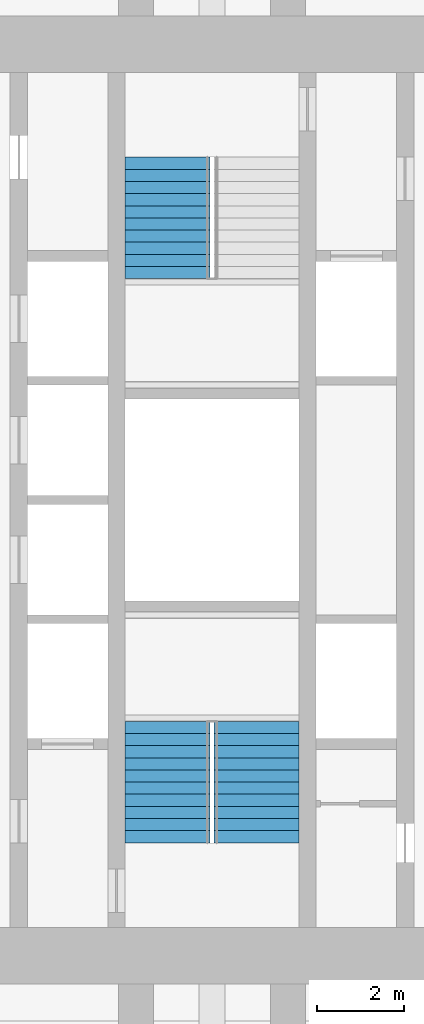
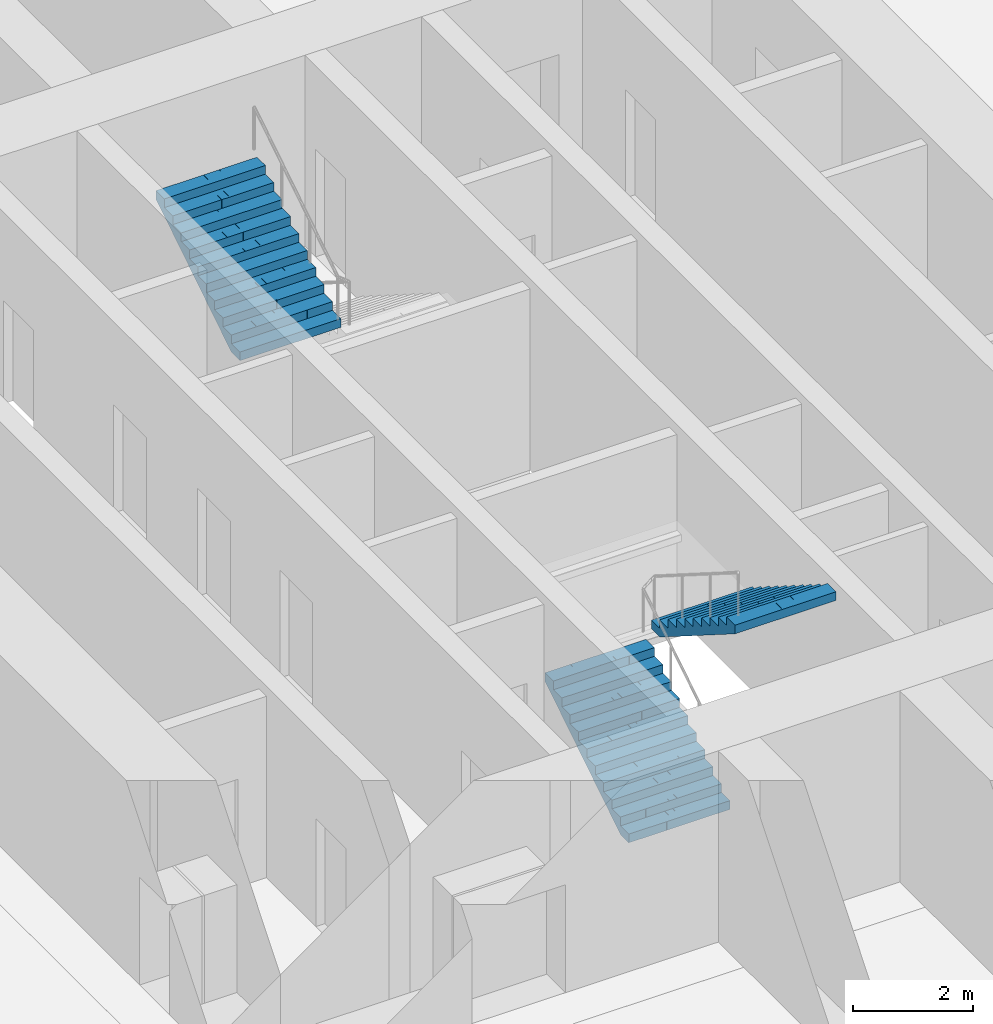
# One storey, part 18 of 20: 3 stair flights, 2 elements without a shape of their own.
"""IFC4 building model written with IfcOpenShell, lengths in metres."""

from ifc_helpers import new_model, si_unit, direction, frame, origin, place, context, subcontext, project, spatial, polyline, outline, extrude, material, type_object, element, aggregate, save


model = new_model("IFC4")

# Units and contexts
model_context = context("Model", 3, precision=1e-05, world=origin(), true_north=direction((0.0, 1.0)))
body_context = subcontext(model_context, "Body", "Model", "MODEL_VIEW")
ifc_project = project(units=[si_unit("LENGTHUNIT", "METRE"), si_unit("AREAUNIT", "SQUARE_METRE"), si_unit("VOLUMEUNIT", "CUBIC_METRE"), si_unit("PLANEANGLEUNIT", "RADIAN"), si_unit("MASSUNIT", "GRAM", prefix="KILO")], contexts=[model_context])

# Site, building, storey
site_placement = place(None, origin())
site = spatial("IfcSite", under=ifc_project, at=site_placement, CompositionType="ELEMENT")
building_placement = place(site_placement, origin())
building = spatial("IfcBuilding", under=site, at=building_placement, Name="Mizan Broadcast Tower", CompositionType="ELEMENT")
storey_placement = place(building_placement, frame((0.0, 0.0, 171.0)))
storey = spatial("IfcBuildingStorey", under=building, at=storey_placement, Name="L39", CompositionType="ELEMENT", Elevation=171.0)

# Stair, stair flights
ifc_material_1 = material(Name="Concrete C40/50", Category="concrete")
stair_type = type_object("IfcStairType", Name="EXIT STAIR", PredefinedType="HALF_TURN_STAIR", material=ifc_material_1)
stair_1_placement = place(storey_placement, origin())
stair_1 = element("IfcStair", 1, at=stair_1_placement, inside=storey, type_object=stair_type, Name="Stair A L39", PredefinedType="HALF_TURN_STAIR")
ifc_material_2 = material(Name="Concrete C40/50", Category="concrete")
stair_flight_type = type_object("IfcStairFlightType", Name="EXIT STAIR FLIGHT", PredefinedType="STRAIGHT", material=ifc_material_2)
stair_flight_1_placement = place(storey_placement, frame((-1.02490234375, -7.89990234375, 0.0), z_axis=(0.0, 0.0, 1.0), x_axis=(0.0, 1.0, 0.0)))
stair_flight_1 = element("IfcStairFlight", 2, at=stair_flight_1_placement, type_object=stair_flight_type, Name="A flight 1", NumberOfRisers=11, NumberOfTreads=10, PredefinedType="STRAIGHT", RiserHeight=0.177272727, TreadLength=0.28, context=body_context, shape_type="SweptSolid", body=[
    extrude(outline(polyline([(0.0, 0.0), (0.0, 0.17724609375), (0.280029296875, 0.17724609375), (0.280029296875, 0.3544921875), (0.56005859375, 0.3544921875), (0.56005859375, 0.53173828125), (0.840087890625, 0.53173828125), (0.840087890625, 0.708984375), (1.1201171875, 0.708984375), (1.1201171875, 0.886474609375), (1.39990234375, 0.886474609375), (1.39990234375, 1.063720703125), (1.679931640625, 1.063720703125), (1.679931640625, 1.240966796875), (1.9599609375, 1.240966796875), (1.9599609375, 1.418212890625), (2.239990234375, 1.418212890625), (2.239990234375, 1.595458984375), (2.52001953125, 1.595458984375), (2.52001953125, 1.772705078125), (2.800048828125, 1.772705078125), (2.800048828125, 1.949951171875), (2.800048828125, 1.59521484375), (0.2802734375, 0.0), (0.0, 0.0)])), frame((0.0, 0.97509765625, 0.0), z_axis=(0.0, -1.0, 0.0), x_axis=(1.0, 0.0, 0.0)), (0.0, 0.0, 1.0), 0.4873046875),
    extrude(outline(polyline([(0.0, 0.0), (0.0, 0.17724609375), (0.280029296875, 0.17724609375), (0.280029296875, 0.3544921875), (0.56005859375, 0.3544921875), (0.56005859375, 0.53173828125), (0.840087890625, 0.53173828125), (0.840087890625, 0.708984375), (1.1201171875, 0.708984375), (1.1201171875, 0.886474609375), (1.39990234375, 0.886474609375), (1.39990234375, 1.063720703125), (1.679931640625, 1.063720703125), (1.679931640625, 1.240966796875), (1.9599609375, 1.240966796875), (1.9599609375, 1.418212890625), (2.239990234375, 1.418212890625), (2.239990234375, 1.595458984375), (2.52001953125, 1.595458984375), (2.52001953125, 1.772705078125), (2.800048828125, 1.772705078125), (2.800048828125, 1.949951171875), (2.800048828125, 1.59521484375), (0.2802734375, 0.0), (0.0, 0.0)])), frame((0.0, 0.4873046875, 0.0), z_axis=(0.0, -1.0, 0.0), x_axis=(1.0, 0.0, 0.0)), (0.0, 0.0, 1.0), 0.2431640625),
    extrude(outline(polyline([(0.0, 0.0), (0.0, 0.17724609375), (0.280029296875, 0.17724609375), (0.280029296875, 0.3544921875), (0.56005859375, 0.3544921875), (0.56005859375, 0.53173828125), (0.840087890625, 0.53173828125), (0.840087890625, 0.708984375), (1.1201171875, 0.708984375), (1.1201171875, 0.886474609375), (1.39990234375, 0.886474609375), (1.39990234375, 1.063720703125), (1.679931640625, 1.063720703125), (1.679931640625, 1.240966796875), (1.9599609375, 1.240966796875), (1.9599609375, 1.418212890625), (2.239990234375, 1.418212890625), (2.239990234375, 1.595458984375), (2.52001953125, 1.595458984375), (2.52001953125, 1.772705078125), (2.800048828125, 1.772705078125), (2.800048828125, 1.949951171875), (2.800048828125, 1.59521484375), (0.2802734375, 0.0), (0.0, 0.0)])), frame((0.0, 0.24365234375, 0.0), z_axis=(0.0, -1.0, 0.0), x_axis=(1.0, 0.0, 0.0)), (0.0, 0.0, 1.0), 0.121337890625),
    extrude(outline(polyline([(0.0, 0.0), (0.0, 0.17724609375), (0.280029296875, 0.17724609375), (0.280029296875, 0.3544921875), (0.56005859375, 0.3544921875), (0.56005859375, 0.53173828125), (0.840087890625, 0.53173828125), (0.840087890625, 0.708984375), (1.1201171875, 0.708984375), (1.1201171875, 0.886474609375), (1.39990234375, 0.886474609375), (1.39990234375, 1.063720703125), (1.679931640625, 1.063720703125), (1.679931640625, 1.240966796875), (1.9599609375, 1.240966796875), (1.9599609375, 1.418212890625), (2.239990234375, 1.418212890625), (2.239990234375, 1.595458984375), (2.52001953125, 1.595458984375), (2.52001953125, 1.772705078125), (2.800048828125, 1.772705078125), (2.800048828125, 1.949951171875), (2.800048828125, 1.59521484375), (0.2802734375, 0.0), (0.0, 0.0)])), frame((0.0, 0.121826171875, 0.0), z_axis=(0.0, -1.0, 0.0), x_axis=(1.0, 0.0, 0.0)), (0.0, 0.0, 1.0), 0.060546875),
    extrude(outline(polyline([(0.0, 0.0), (0.0, 0.17724609375), (0.280029296875, 0.17724609375), (0.280029296875, 0.3544921875), (0.56005859375, 0.3544921875), (0.56005859375, 0.53173828125), (0.840087890625, 0.53173828125), (0.840087890625, 0.708984375), (1.1201171875, 0.708984375), (1.1201171875, 0.886474609375), (1.39990234375, 0.886474609375), (1.39990234375, 1.063720703125), (1.679931640625, 1.063720703125), (1.679931640625, 1.240966796875), (1.9599609375, 1.240966796875), (1.9599609375, 1.418212890625), (2.239990234375, 1.418212890625), (2.239990234375, 1.595458984375), (2.52001953125, 1.595458984375), (2.52001953125, 1.772705078125), (2.800048828125, 1.772705078125), (2.800048828125, 1.949951171875), (2.800048828125, 1.59521484375), (0.2802734375, 0.0), (0.0, 0.0)])), frame((0.0, 0.060791015625, 0.0), z_axis=(0.0, -1.0, 0.0), x_axis=(1.0, 0.0, 0.0)), (0.0, 0.0, 1.0), 0.030029296875),
    extrude(outline(polyline([(0.0, 0.0), (0.0, 0.17724609375), (0.280029296875, 0.17724609375), (0.280029296875, 0.3544921875), (0.56005859375, 0.3544921875), (0.56005859375, 0.53173828125), (0.840087890625, 0.53173828125), (0.840087890625, 0.708984375), (1.1201171875, 0.708984375), (1.1201171875, 0.886474609375), (1.39990234375, 0.886474609375), (1.39990234375, 1.063720703125), (1.679931640625, 1.063720703125), (1.679931640625, 1.240966796875), (1.9599609375, 1.240966796875), (1.9599609375, 1.418212890625), (2.239990234375, 1.418212890625), (2.239990234375, 1.595458984375), (2.52001953125, 1.595458984375), (2.52001953125, 1.772705078125), (2.800048828125, 1.772705078125), (2.800048828125, 1.949951171875), (2.800048828125, 1.59521484375), (0.2802734375, 0.0), (0.0, 0.0)])), frame((0.0, 0.0302734375, 0.0), z_axis=(0.0, -1.0, 0.0), x_axis=(1.0, 0.0, 0.0)), (0.0, 0.0, 1.0), 0.060302734375),
    extrude(outline(polyline([(0.0, 0.0), (0.0, 0.17724609375), (0.280029296875, 0.17724609375), (0.280029296875, 0.3544921875), (0.56005859375, 0.3544921875), (0.56005859375, 0.53173828125), (0.840087890625, 0.53173828125), (0.840087890625, 0.708984375), (1.1201171875, 0.708984375), (1.1201171875, 0.886474609375), (1.39990234375, 0.886474609375), (1.39990234375, 1.063720703125), (1.679931640625, 1.063720703125), (1.679931640625, 1.240966796875), (1.9599609375, 1.240966796875), (1.9599609375, 1.418212890625), (2.239990234375, 1.418212890625), (2.239990234375, 1.595458984375), (2.52001953125, 1.595458984375), (2.52001953125, 1.772705078125), (2.800048828125, 1.772705078125), (2.800048828125, 1.949951171875), (2.800048828125, 1.59521484375), (0.2802734375, 0.0), (0.0, 0.0)])), frame((0.0, -0.030517578125, 0.0), z_axis=(0.0, -1.0, 0.0), x_axis=(1.0, 0.0, 0.0)), (0.0, 0.0, 1.0), 0.030029296875),
    extrude(outline(polyline([(0.0, 0.0), (0.0, 0.17724609375), (0.280029296875, 0.17724609375), (0.280029296875, 0.3544921875), (0.56005859375, 0.3544921875), (0.56005859375, 0.53173828125), (0.840087890625, 0.53173828125), (0.840087890625, 0.708984375), (1.1201171875, 0.708984375), (1.1201171875, 0.886474609375), (1.39990234375, 0.886474609375), (1.39990234375, 1.063720703125), (1.679931640625, 1.063720703125), (1.679931640625, 1.240966796875), (1.9599609375, 1.240966796875), (1.9599609375, 1.418212890625), (2.239990234375, 1.418212890625), (2.239990234375, 1.595458984375), (2.52001953125, 1.595458984375), (2.52001953125, 1.772705078125), (2.800048828125, 1.772705078125), (2.800048828125, 1.949951171875), (2.800048828125, 1.59521484375), (0.2802734375, 0.0), (0.0, 0.0)])), frame((0.0, -0.06103515625, 0.0), z_axis=(0.0, -1.0, 0.0), x_axis=(1.0, 0.0, 0.0)), (0.0, 0.0, 1.0), 0.060546875),
    extrude(outline(polyline([(0.0, 0.0), (0.0, 0.17724609375), (0.280029296875, 0.17724609375), (0.280029296875, 0.3544921875), (0.56005859375, 0.3544921875), (0.56005859375, 0.53173828125), (0.840087890625, 0.53173828125), (0.840087890625, 0.708984375), (1.1201171875, 0.708984375), (1.1201171875, 0.886474609375), (1.39990234375, 0.886474609375), (1.39990234375, 1.063720703125), (1.679931640625, 1.063720703125), (1.679931640625, 1.240966796875), (1.9599609375, 1.240966796875), (1.9599609375, 1.418212890625), (2.239990234375, 1.418212890625), (2.239990234375, 1.595458984375), (2.52001953125, 1.595458984375), (2.52001953125, 1.772705078125), (2.800048828125, 1.772705078125), (2.800048828125, 1.949951171875), (2.800048828125, 1.59521484375), (0.2802734375, 0.0), (0.0, 0.0)])), frame((0.0, -0.1220703125, 0.0), z_axis=(0.0, -1.0, 0.0), x_axis=(1.0, 0.0, 0.0)), (0.0, 0.0, 1.0), 0.121337890625),
    extrude(outline(polyline([(0.0, 0.0), (0.0, 0.17724609375), (0.280029296875, 0.17724609375), (0.280029296875, 0.3544921875), (0.56005859375, 0.3544921875), (0.56005859375, 0.53173828125), (0.840087890625, 0.53173828125), (0.840087890625, 0.708984375), (1.1201171875, 0.708984375), (1.1201171875, 0.886474609375), (1.39990234375, 0.886474609375), (1.39990234375, 1.063720703125), (1.679931640625, 1.063720703125), (1.679931640625, 1.240966796875), (1.9599609375, 1.240966796875), (1.9599609375, 1.418212890625), (2.239990234375, 1.418212890625), (2.239990234375, 1.595458984375), (2.52001953125, 1.595458984375), (2.52001953125, 1.772705078125), (2.800048828125, 1.772705078125), (2.800048828125, 1.949951171875), (2.800048828125, 1.59521484375), (0.2802734375, 0.0), (0.0, 0.0)])), frame((0.0, -0.243896484375, 0.0), z_axis=(0.0, -1.0, 0.0), x_axis=(1.0, 0.0, 0.0)), (0.0, 0.0, 1.0), 0.2431640625),
    extrude(outline(polyline([(0.0, 0.0), (0.0, 0.17724609375), (0.280029296875, 0.17724609375), (0.280029296875, 0.3544921875), (0.56005859375, 0.3544921875), (0.56005859375, 0.53173828125), (0.840087890625, 0.53173828125), (0.840087890625, 0.708984375), (1.1201171875, 0.708984375), (1.1201171875, 0.886474609375), (1.39990234375, 0.886474609375), (1.39990234375, 1.063720703125), (1.679931640625, 1.063720703125), (1.679931640625, 1.240966796875), (1.9599609375, 1.240966796875), (1.9599609375, 1.418212890625), (2.239990234375, 1.418212890625), (2.239990234375, 1.595458984375), (2.52001953125, 1.595458984375), (2.52001953125, 1.772705078125), (2.800048828125, 1.772705078125), (2.800048828125, 1.949951171875), (2.800048828125, 1.59521484375), (0.2802734375, 0.0), (0.0, 0.0)])), frame((0.0, -0.487548828125, 0.0), z_axis=(0.0, -1.0, 0.0), x_axis=(1.0, 0.0, 0.0)), (0.0, 0.0, 1.0), 0.4873046875),
])
stair_flight_2_placement = place(storey_placement, frame((1.02490234375, -5.10009765625, 1.949951171875), z_axis=(0.0, 0.0, 1.0), x_axis=(0.0, -1.0, 0.0)))
stair_flight_2 = element("IfcStairFlight", 3, at=stair_flight_2_placement, type_object=stair_flight_type, Name="A flight 2", NumberOfRisers=11, NumberOfTreads=10, PredefinedType="STRAIGHT", RiserHeight=0.177272727, TreadLength=0.28, context=body_context, shape_type="SweptSolid", body=[
    extrude(outline(polyline([(0.0, 0.0), (0.0, 0.17724609375), (0.280029296875, 0.17724609375), (0.280029296875, 0.3544921875), (0.56005859375, 0.3544921875), (0.56005859375, 0.53173828125), (0.840087890625, 0.53173828125), (0.840087890625, 0.708984375), (1.1201171875, 0.708984375), (1.1201171875, 0.886474609375), (1.39990234375, 0.886474609375), (1.39990234375, 1.063720703125), (1.679931640625, 1.063720703125), (1.679931640625, 1.240966796875), (1.9599609375, 1.240966796875), (1.9599609375, 1.418212890625), (2.239990234375, 1.418212890625), (2.239990234375, 1.595458984375), (2.52001953125, 1.595458984375), (2.52001953125, 1.772705078125), (2.800048828125, 1.772705078125), (2.800048828125, 1.949951171875), (2.800048828125, 1.59521484375), (0.2802734375, 0.0), (0.0, 0.0)])), frame((0.0, 0.97509765625, 0.0), z_axis=(0.0, -1.0, 0.0), x_axis=(1.0, 0.0, 0.0)), (0.0, 0.0, 1.0), 0.4873046875),
    extrude(outline(polyline([(0.0, 0.0), (0.0, 0.17724609375), (0.280029296875, 0.17724609375), (0.280029296875, 0.3544921875), (0.56005859375, 0.3544921875), (0.56005859375, 0.53173828125), (0.840087890625, 0.53173828125), (0.840087890625, 0.708984375), (1.1201171875, 0.708984375), (1.1201171875, 0.886474609375), (1.39990234375, 0.886474609375), (1.39990234375, 1.063720703125), (1.679931640625, 1.063720703125), (1.679931640625, 1.240966796875), (1.9599609375, 1.240966796875), (1.9599609375, 1.418212890625), (2.239990234375, 1.418212890625), (2.239990234375, 1.595458984375), (2.52001953125, 1.595458984375), (2.52001953125, 1.772705078125), (2.800048828125, 1.772705078125), (2.800048828125, 1.949951171875), (2.800048828125, 1.59521484375), (0.2802734375, 0.0), (0.0, 0.0)])), frame((0.0, 0.4873046875, 0.0), z_axis=(0.0, -1.0, 0.0), x_axis=(1.0, 0.0, 0.0)), (0.0, 0.0, 1.0), 0.2431640625),
    extrude(outline(polyline([(0.0, 0.0), (0.0, 0.17724609375), (0.280029296875, 0.17724609375), (0.280029296875, 0.3544921875), (0.56005859375, 0.3544921875), (0.56005859375, 0.53173828125), (0.840087890625, 0.53173828125), (0.840087890625, 0.708984375), (1.1201171875, 0.708984375), (1.1201171875, 0.886474609375), (1.39990234375, 0.886474609375), (1.39990234375, 1.063720703125), (1.679931640625, 1.063720703125), (1.679931640625, 1.240966796875), (1.9599609375, 1.240966796875), (1.9599609375, 1.418212890625), (2.239990234375, 1.418212890625), (2.239990234375, 1.595458984375), (2.52001953125, 1.595458984375), (2.52001953125, 1.772705078125), (2.800048828125, 1.772705078125), (2.800048828125, 1.949951171875), (2.800048828125, 1.59521484375), (0.2802734375, 0.0), (0.0, 0.0)])), frame((0.0, 0.24365234375, 0.0), z_axis=(0.0, -1.0, 0.0), x_axis=(1.0, 0.0, 0.0)), (0.0, 0.0, 1.0), 0.121337890625),
    extrude(outline(polyline([(0.0, 0.0), (0.0, 0.17724609375), (0.280029296875, 0.17724609375), (0.280029296875, 0.3544921875), (0.56005859375, 0.3544921875), (0.56005859375, 0.53173828125), (0.840087890625, 0.53173828125), (0.840087890625, 0.708984375), (1.1201171875, 0.708984375), (1.1201171875, 0.886474609375), (1.39990234375, 0.886474609375), (1.39990234375, 1.063720703125), (1.679931640625, 1.063720703125), (1.679931640625, 1.240966796875), (1.9599609375, 1.240966796875), (1.9599609375, 1.418212890625), (2.239990234375, 1.418212890625), (2.239990234375, 1.595458984375), (2.52001953125, 1.595458984375), (2.52001953125, 1.772705078125), (2.800048828125, 1.772705078125), (2.800048828125, 1.949951171875), (2.800048828125, 1.59521484375), (0.2802734375, 0.0), (0.0, 0.0)])), frame((0.0, 0.121826171875, 0.0), z_axis=(0.0, -1.0, 0.0), x_axis=(1.0, 0.0, 0.0)), (0.0, 0.0, 1.0), 0.060546875),
    extrude(outline(polyline([(0.0, 0.0), (0.0, 0.17724609375), (0.280029296875, 0.17724609375), (0.280029296875, 0.3544921875), (0.56005859375, 0.3544921875), (0.56005859375, 0.53173828125), (0.840087890625, 0.53173828125), (0.840087890625, 0.708984375), (1.1201171875, 0.708984375), (1.1201171875, 0.886474609375), (1.39990234375, 0.886474609375), (1.39990234375, 1.063720703125), (1.679931640625, 1.063720703125), (1.679931640625, 1.240966796875), (1.9599609375, 1.240966796875), (1.9599609375, 1.418212890625), (2.239990234375, 1.418212890625), (2.239990234375, 1.595458984375), (2.52001953125, 1.595458984375), (2.52001953125, 1.772705078125), (2.800048828125, 1.772705078125), (2.800048828125, 1.949951171875), (2.800048828125, 1.59521484375), (0.2802734375, 0.0), (0.0, 0.0)])), frame((0.0, 0.060791015625, 0.0), z_axis=(0.0, -1.0, 0.0), x_axis=(1.0, 0.0, 0.0)), (0.0, 0.0, 1.0), 0.030029296875),
    extrude(outline(polyline([(0.0, 0.0), (0.0, 0.17724609375), (0.280029296875, 0.17724609375), (0.280029296875, 0.3544921875), (0.56005859375, 0.3544921875), (0.56005859375, 0.53173828125), (0.840087890625, 0.53173828125), (0.840087890625, 0.708984375), (1.1201171875, 0.708984375), (1.1201171875, 0.886474609375), (1.39990234375, 0.886474609375), (1.39990234375, 1.063720703125), (1.679931640625, 1.063720703125), (1.679931640625, 1.240966796875), (1.9599609375, 1.240966796875), (1.9599609375, 1.418212890625), (2.239990234375, 1.418212890625), (2.239990234375, 1.595458984375), (2.52001953125, 1.595458984375), (2.52001953125, 1.772705078125), (2.800048828125, 1.772705078125), (2.800048828125, 1.949951171875), (2.800048828125, 1.59521484375), (0.2802734375, 0.0), (0.0, 0.0)])), frame((0.0, 0.0302734375, 0.0), z_axis=(0.0, -1.0, 0.0), x_axis=(1.0, 0.0, 0.0)), (0.0, 0.0, 1.0), 0.060302734375),
    extrude(outline(polyline([(0.0, 0.0), (0.0, 0.17724609375), (0.280029296875, 0.17724609375), (0.280029296875, 0.3544921875), (0.56005859375, 0.3544921875), (0.56005859375, 0.53173828125), (0.840087890625, 0.53173828125), (0.840087890625, 0.708984375), (1.1201171875, 0.708984375), (1.1201171875, 0.886474609375), (1.39990234375, 0.886474609375), (1.39990234375, 1.063720703125), (1.679931640625, 1.063720703125), (1.679931640625, 1.240966796875), (1.9599609375, 1.240966796875), (1.9599609375, 1.418212890625), (2.239990234375, 1.418212890625), (2.239990234375, 1.595458984375), (2.52001953125, 1.595458984375), (2.52001953125, 1.772705078125), (2.800048828125, 1.772705078125), (2.800048828125, 1.949951171875), (2.800048828125, 1.59521484375), (0.2802734375, 0.0), (0.0, 0.0)])), frame((0.0, -0.030517578125, 0.0), z_axis=(0.0, -1.0, 0.0), x_axis=(1.0, 0.0, 0.0)), (0.0, 0.0, 1.0), 0.030029296875),
    extrude(outline(polyline([(0.0, 0.0), (0.0, 0.17724609375), (0.280029296875, 0.17724609375), (0.280029296875, 0.3544921875), (0.56005859375, 0.3544921875), (0.56005859375, 0.53173828125), (0.840087890625, 0.53173828125), (0.840087890625, 0.708984375), (1.1201171875, 0.708984375), (1.1201171875, 0.886474609375), (1.39990234375, 0.886474609375), (1.39990234375, 1.063720703125), (1.679931640625, 1.063720703125), (1.679931640625, 1.240966796875), (1.9599609375, 1.240966796875), (1.9599609375, 1.418212890625), (2.239990234375, 1.418212890625), (2.239990234375, 1.595458984375), (2.52001953125, 1.595458984375), (2.52001953125, 1.772705078125), (2.800048828125, 1.772705078125), (2.800048828125, 1.949951171875), (2.800048828125, 1.59521484375), (0.2802734375, 0.0), (0.0, 0.0)])), frame((0.0, -0.06103515625, 0.0), z_axis=(0.0, -1.0, 0.0), x_axis=(1.0, 0.0, 0.0)), (0.0, 0.0, 1.0), 0.060546875),
    extrude(outline(polyline([(0.0, 0.0), (0.0, 0.17724609375), (0.280029296875, 0.17724609375), (0.280029296875, 0.3544921875), (0.56005859375, 0.3544921875), (0.56005859375, 0.53173828125), (0.840087890625, 0.53173828125), (0.840087890625, 0.708984375), (1.1201171875, 0.708984375), (1.1201171875, 0.886474609375), (1.39990234375, 0.886474609375), (1.39990234375, 1.063720703125), (1.679931640625, 1.063720703125), (1.679931640625, 1.240966796875), (1.9599609375, 1.240966796875), (1.9599609375, 1.418212890625), (2.239990234375, 1.418212890625), (2.239990234375, 1.595458984375), (2.52001953125, 1.595458984375), (2.52001953125, 1.772705078125), (2.800048828125, 1.772705078125), (2.800048828125, 1.949951171875), (2.800048828125, 1.59521484375), (0.2802734375, 0.0), (0.0, 0.0)])), frame((0.0, -0.1220703125, 0.0), z_axis=(0.0, -1.0, 0.0), x_axis=(1.0, 0.0, 0.0)), (0.0, 0.0, 1.0), 0.121337890625),
    extrude(outline(polyline([(0.0, 0.0), (0.0, 0.17724609375), (0.280029296875, 0.17724609375), (0.280029296875, 0.3544921875), (0.56005859375, 0.3544921875), (0.56005859375, 0.53173828125), (0.840087890625, 0.53173828125), (0.840087890625, 0.708984375), (1.1201171875, 0.708984375), (1.1201171875, 0.886474609375), (1.39990234375, 0.886474609375), (1.39990234375, 1.063720703125), (1.679931640625, 1.063720703125), (1.679931640625, 1.240966796875), (1.9599609375, 1.240966796875), (1.9599609375, 1.418212890625), (2.239990234375, 1.418212890625), (2.239990234375, 1.595458984375), (2.52001953125, 1.595458984375), (2.52001953125, 1.772705078125), (2.800048828125, 1.772705078125), (2.800048828125, 1.949951171875), (2.800048828125, 1.59521484375), (0.2802734375, 0.0), (0.0, 0.0)])), frame((0.0, -0.243896484375, 0.0), z_axis=(0.0, -1.0, 0.0), x_axis=(1.0, 0.0, 0.0)), (0.0, 0.0, 1.0), 0.2431640625),
    extrude(outline(polyline([(0.0, 0.0), (0.0, 0.17724609375), (0.280029296875, 0.17724609375), (0.280029296875, 0.3544921875), (0.56005859375, 0.3544921875), (0.56005859375, 0.53173828125), (0.840087890625, 0.53173828125), (0.840087890625, 0.708984375), (1.1201171875, 0.708984375), (1.1201171875, 0.886474609375), (1.39990234375, 0.886474609375), (1.39990234375, 1.063720703125), (1.679931640625, 1.063720703125), (1.679931640625, 1.240966796875), (1.9599609375, 1.240966796875), (1.9599609375, 1.418212890625), (2.239990234375, 1.418212890625), (2.239990234375, 1.595458984375), (2.52001953125, 1.595458984375), (2.52001953125, 1.772705078125), (2.800048828125, 1.772705078125), (2.800048828125, 1.949951171875), (2.800048828125, 1.59521484375), (0.2802734375, 0.0), (0.0, 0.0)])), frame((0.0, -0.487548828125, 0.0), z_axis=(0.0, -1.0, 0.0), x_axis=(1.0, 0.0, 0.0)), (0.0, 0.0, 1.0), 0.4873046875),
])
aggregate(stair_1, [stair_flight_1, stair_flight_2])

# Stair, stair flight
stair_2_placement = place(storey_placement, origin())
stair_2 = element("IfcStair", 4, at=stair_2_placement, inside=storey, type_object=stair_type, Name="Stair B L39", PredefinedType="HALF_TURN_STAIR")
stair_flight_3_placement = place(storey_placement, frame((-1.02490234375, 5.10009765625, 1.949951171875), z_axis=(0.0, 0.0, 1.0), x_axis=(0.0, 1.0, 0.0)))
stair_flight_3 = element("IfcStairFlight", 5, at=stair_flight_3_placement, type_object=stair_flight_type, Name="B flight 2", NumberOfRisers=11, NumberOfTreads=10, PredefinedType="STRAIGHT", RiserHeight=0.177272727, TreadLength=0.28, context=body_context, shape_type="SweptSolid", body=[
    extrude(outline(polyline([(0.0, 0.0), (0.0, 0.17724609375), (0.280029296875, 0.17724609375), (0.280029296875, 0.3544921875), (0.56005859375, 0.3544921875), (0.56005859375, 0.53173828125), (0.840087890625, 0.53173828125), (0.840087890625, 0.708984375), (1.1201171875, 0.708984375), (1.1201171875, 0.886474609375), (1.39990234375, 0.886474609375), (1.39990234375, 1.063720703125), (1.679931640625, 1.063720703125), (1.679931640625, 1.240966796875), (1.9599609375, 1.240966796875), (1.9599609375, 1.418212890625), (2.239990234375, 1.418212890625), (2.239990234375, 1.595458984375), (2.52001953125, 1.595458984375), (2.52001953125, 1.772705078125), (2.800048828125, 1.772705078125), (2.800048828125, 1.949951171875), (2.800048828125, 1.59521484375), (0.2802734375, 0.0), (0.0, 0.0)])), frame((0.0, 0.97509765625, 0.0), z_axis=(0.0, -1.0, 0.0), x_axis=(1.0, 0.0, 0.0)), (0.0, 0.0, 1.0), 0.4873046875),
    extrude(outline(polyline([(0.0, 0.0), (0.0, 0.17724609375), (0.280029296875, 0.17724609375), (0.280029296875, 0.3544921875), (0.56005859375, 0.3544921875), (0.56005859375, 0.53173828125), (0.840087890625, 0.53173828125), (0.840087890625, 0.708984375), (1.1201171875, 0.708984375), (1.1201171875, 0.886474609375), (1.39990234375, 0.886474609375), (1.39990234375, 1.063720703125), (1.679931640625, 1.063720703125), (1.679931640625, 1.240966796875), (1.9599609375, 1.240966796875), (1.9599609375, 1.418212890625), (2.239990234375, 1.418212890625), (2.239990234375, 1.595458984375), (2.52001953125, 1.595458984375), (2.52001953125, 1.772705078125), (2.800048828125, 1.772705078125), (2.800048828125, 1.949951171875), (2.800048828125, 1.59521484375), (0.2802734375, 0.0), (0.0, 0.0)])), frame((0.0, 0.4873046875, 0.0), z_axis=(0.0, -1.0, 0.0), x_axis=(1.0, 0.0, 0.0)), (0.0, 0.0, 1.0), 0.2431640625),
    extrude(outline(polyline([(0.0, 0.0), (0.0, 0.17724609375), (0.280029296875, 0.17724609375), (0.280029296875, 0.3544921875), (0.56005859375, 0.3544921875), (0.56005859375, 0.53173828125), (0.840087890625, 0.53173828125), (0.840087890625, 0.708984375), (1.1201171875, 0.708984375), (1.1201171875, 0.886474609375), (1.39990234375, 0.886474609375), (1.39990234375, 1.063720703125), (1.679931640625, 1.063720703125), (1.679931640625, 1.240966796875), (1.9599609375, 1.240966796875), (1.9599609375, 1.418212890625), (2.239990234375, 1.418212890625), (2.239990234375, 1.595458984375), (2.52001953125, 1.595458984375), (2.52001953125, 1.772705078125), (2.800048828125, 1.772705078125), (2.800048828125, 1.949951171875), (2.800048828125, 1.59521484375), (0.2802734375, 0.0), (0.0, 0.0)])), frame((0.0, 0.24365234375, 0.0), z_axis=(0.0, -1.0, 0.0), x_axis=(1.0, 0.0, 0.0)), (0.0, 0.0, 1.0), 0.121337890625),
    extrude(outline(polyline([(0.0, 0.0), (0.0, 0.17724609375), (0.280029296875, 0.17724609375), (0.280029296875, 0.3544921875), (0.56005859375, 0.3544921875), (0.56005859375, 0.53173828125), (0.840087890625, 0.53173828125), (0.840087890625, 0.708984375), (1.1201171875, 0.708984375), (1.1201171875, 0.886474609375), (1.39990234375, 0.886474609375), (1.39990234375, 1.063720703125), (1.679931640625, 1.063720703125), (1.679931640625, 1.240966796875), (1.9599609375, 1.240966796875), (1.9599609375, 1.418212890625), (2.239990234375, 1.418212890625), (2.239990234375, 1.595458984375), (2.52001953125, 1.595458984375), (2.52001953125, 1.772705078125), (2.800048828125, 1.772705078125), (2.800048828125, 1.949951171875), (2.800048828125, 1.59521484375), (0.2802734375, 0.0), (0.0, 0.0)])), frame((0.0, 0.121826171875, 0.0), z_axis=(0.0, -1.0, 0.0), x_axis=(1.0, 0.0, 0.0)), (0.0, 0.0, 1.0), 0.060546875),
    extrude(outline(polyline([(0.0, 0.0), (0.0, 0.17724609375), (0.280029296875, 0.17724609375), (0.280029296875, 0.3544921875), (0.56005859375, 0.3544921875), (0.56005859375, 0.53173828125), (0.840087890625, 0.53173828125), (0.840087890625, 0.708984375), (1.1201171875, 0.708984375), (1.1201171875, 0.886474609375), (1.39990234375, 0.886474609375), (1.39990234375, 1.063720703125), (1.679931640625, 1.063720703125), (1.679931640625, 1.240966796875), (1.9599609375, 1.240966796875), (1.9599609375, 1.418212890625), (2.239990234375, 1.418212890625), (2.239990234375, 1.595458984375), (2.52001953125, 1.595458984375), (2.52001953125, 1.772705078125), (2.800048828125, 1.772705078125), (2.800048828125, 1.949951171875), (2.800048828125, 1.59521484375), (0.2802734375, 0.0), (0.0, 0.0)])), frame((0.0, 0.060791015625, 0.0), z_axis=(0.0, -1.0, 0.0), x_axis=(1.0, 0.0, 0.0)), (0.0, 0.0, 1.0), 0.030029296875),
    extrude(outline(polyline([(0.0, 0.0), (0.0, 0.17724609375), (0.280029296875, 0.17724609375), (0.280029296875, 0.3544921875), (0.56005859375, 0.3544921875), (0.56005859375, 0.53173828125), (0.840087890625, 0.53173828125), (0.840087890625, 0.708984375), (1.1201171875, 0.708984375), (1.1201171875, 0.886474609375), (1.39990234375, 0.886474609375), (1.39990234375, 1.063720703125), (1.679931640625, 1.063720703125), (1.679931640625, 1.240966796875), (1.9599609375, 1.240966796875), (1.9599609375, 1.418212890625), (2.239990234375, 1.418212890625), (2.239990234375, 1.595458984375), (2.52001953125, 1.595458984375), (2.52001953125, 1.772705078125), (2.800048828125, 1.772705078125), (2.800048828125, 1.949951171875), (2.800048828125, 1.59521484375), (0.2802734375, 0.0), (0.0, 0.0)])), frame((0.0, 0.0302734375, 0.0), z_axis=(0.0, -1.0, 0.0), x_axis=(1.0, 0.0, 0.0)), (0.0, 0.0, 1.0), 0.060302734375),
    extrude(outline(polyline([(0.0, 0.0), (0.0, 0.17724609375), (0.280029296875, 0.17724609375), (0.280029296875, 0.3544921875), (0.56005859375, 0.3544921875), (0.56005859375, 0.53173828125), (0.840087890625, 0.53173828125), (0.840087890625, 0.708984375), (1.1201171875, 0.708984375), (1.1201171875, 0.886474609375), (1.39990234375, 0.886474609375), (1.39990234375, 1.063720703125), (1.679931640625, 1.063720703125), (1.679931640625, 1.240966796875), (1.9599609375, 1.240966796875), (1.9599609375, 1.418212890625), (2.239990234375, 1.418212890625), (2.239990234375, 1.595458984375), (2.52001953125, 1.595458984375), (2.52001953125, 1.772705078125), (2.800048828125, 1.772705078125), (2.800048828125, 1.949951171875), (2.800048828125, 1.59521484375), (0.2802734375, 0.0), (0.0, 0.0)])), frame((0.0, -0.030517578125, 0.0), z_axis=(0.0, -1.0, 0.0), x_axis=(1.0, 0.0, 0.0)), (0.0, 0.0, 1.0), 0.030029296875),
    extrude(outline(polyline([(0.0, 0.0), (0.0, 0.17724609375), (0.280029296875, 0.17724609375), (0.280029296875, 0.3544921875), (0.56005859375, 0.3544921875), (0.56005859375, 0.53173828125), (0.840087890625, 0.53173828125), (0.840087890625, 0.708984375), (1.1201171875, 0.708984375), (1.1201171875, 0.886474609375), (1.39990234375, 0.886474609375), (1.39990234375, 1.063720703125), (1.679931640625, 1.063720703125), (1.679931640625, 1.240966796875), (1.9599609375, 1.240966796875), (1.9599609375, 1.418212890625), (2.239990234375, 1.418212890625), (2.239990234375, 1.595458984375), (2.52001953125, 1.595458984375), (2.52001953125, 1.772705078125), (2.800048828125, 1.772705078125), (2.800048828125, 1.949951171875), (2.800048828125, 1.59521484375), (0.2802734375, 0.0), (0.0, 0.0)])), frame((0.0, -0.06103515625, 0.0), z_axis=(0.0, -1.0, 0.0), x_axis=(1.0, 0.0, 0.0)), (0.0, 0.0, 1.0), 0.060546875),
    extrude(outline(polyline([(0.0, 0.0), (0.0, 0.17724609375), (0.280029296875, 0.17724609375), (0.280029296875, 0.3544921875), (0.56005859375, 0.3544921875), (0.56005859375, 0.53173828125), (0.840087890625, 0.53173828125), (0.840087890625, 0.708984375), (1.1201171875, 0.708984375), (1.1201171875, 0.886474609375), (1.39990234375, 0.886474609375), (1.39990234375, 1.063720703125), (1.679931640625, 1.063720703125), (1.679931640625, 1.240966796875), (1.9599609375, 1.240966796875), (1.9599609375, 1.418212890625), (2.239990234375, 1.418212890625), (2.239990234375, 1.595458984375), (2.52001953125, 1.595458984375), (2.52001953125, 1.772705078125), (2.800048828125, 1.772705078125), (2.800048828125, 1.949951171875), (2.800048828125, 1.59521484375), (0.2802734375, 0.0), (0.0, 0.0)])), frame((0.0, -0.1220703125, 0.0), z_axis=(0.0, -1.0, 0.0), x_axis=(1.0, 0.0, 0.0)), (0.0, 0.0, 1.0), 0.121337890625),
    extrude(outline(polyline([(0.0, 0.0), (0.0, 0.17724609375), (0.280029296875, 0.17724609375), (0.280029296875, 0.3544921875), (0.56005859375, 0.3544921875), (0.56005859375, 0.53173828125), (0.840087890625, 0.53173828125), (0.840087890625, 0.708984375), (1.1201171875, 0.708984375), (1.1201171875, 0.886474609375), (1.39990234375, 0.886474609375), (1.39990234375, 1.063720703125), (1.679931640625, 1.063720703125), (1.679931640625, 1.240966796875), (1.9599609375, 1.240966796875), (1.9599609375, 1.418212890625), (2.239990234375, 1.418212890625), (2.239990234375, 1.595458984375), (2.52001953125, 1.595458984375), (2.52001953125, 1.772705078125), (2.800048828125, 1.772705078125), (2.800048828125, 1.949951171875), (2.800048828125, 1.59521484375), (0.2802734375, 0.0), (0.0, 0.0)])), frame((0.0, -0.243896484375, 0.0), z_axis=(0.0, -1.0, 0.0), x_axis=(1.0, 0.0, 0.0)), (0.0, 0.0, 1.0), 0.2431640625),
    extrude(outline(polyline([(0.0, 0.0), (0.0, 0.17724609375), (0.280029296875, 0.17724609375), (0.280029296875, 0.3544921875), (0.56005859375, 0.3544921875), (0.56005859375, 0.53173828125), (0.840087890625, 0.53173828125), (0.840087890625, 0.708984375), (1.1201171875, 0.708984375), (1.1201171875, 0.886474609375), (1.39990234375, 0.886474609375), (1.39990234375, 1.063720703125), (1.679931640625, 1.063720703125), (1.679931640625, 1.240966796875), (1.9599609375, 1.240966796875), (1.9599609375, 1.418212890625), (2.239990234375, 1.418212890625), (2.239990234375, 1.595458984375), (2.52001953125, 1.595458984375), (2.52001953125, 1.772705078125), (2.800048828125, 1.772705078125), (2.800048828125, 1.949951171875), (2.800048828125, 1.59521484375), (0.2802734375, 0.0), (0.0, 0.0)])), frame((0.0, -0.487548828125, 0.0), z_axis=(0.0, -1.0, 0.0), x_axis=(1.0, 0.0, 0.0)), (0.0, 0.0, 1.0), 0.4873046875),
])
aggregate(stair_2, [stair_flight_3])

save(model, "model.ifc")
